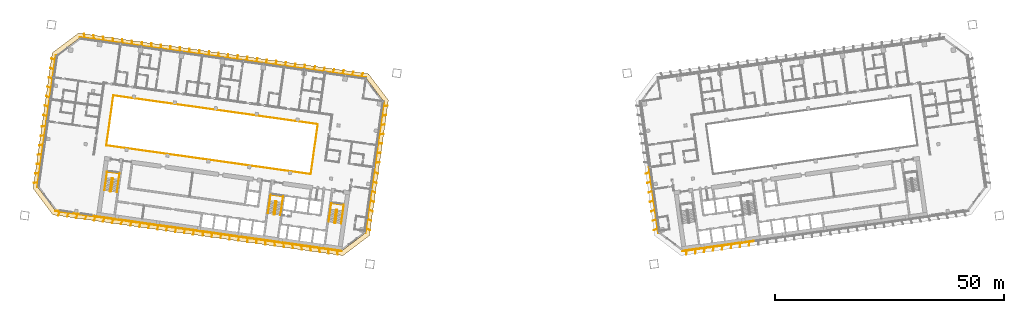
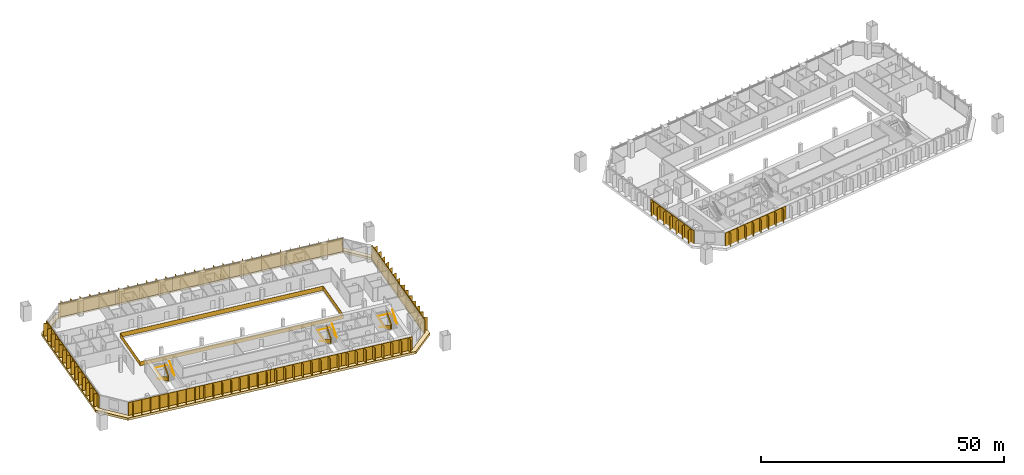
# One storey, part 24 of 25: 15 shading devices, 7 railings, 1 covering.
"""IFC4 building model written with IfcOpenShell, lengths in metres."""

import ifcopenshell
import ifcopenshell.guid

model = None  # the IFC model being written
_history = None  # IfcOwnerHistory: only IFC2X3 demands one
_inside = {}  # id of a spatial element -> (the spatial element, [elements in it])
_under = {}  # id of a project, library or spatial element -> (it, [spatial elements below it])
_declared = {}  # id of a project -> (the project, [libraries it declares])
_typed = {}  # id of a type object -> (the type object, [elements of that type])
_made_of = {}  # id of a material, layer set ... -> (it, [elements and type objects made of it])


def new_model(schema):
    """Start an empty IFC model of exactly this schema.

    Asked for "IFC4X3", IfcOpenShell would pick the latest addendum, in which some entities
    have other attributes; the version numbers below select the first issue.
    IFC2X3 requires an IfcOwnerHistory on every rooted entity: one is made here for all.
    """
    global model, _history
    if schema == "IFC4X3":
        model = ifcopenshell.file(schema_version=(4, 3, 0, 0))
    else:
        model = ifcopenshell.file(schema=schema)
    _inside.clear()
    _under.clear()
    _declared.clear()
    _typed.clear()
    _made_of.clear()
    _history = None
    if model.schema == "IFC2X3":
        org = make("IfcOrganization", Name="unknown")
        user = make(
            "IfcPersonAndOrganization",
            ThePerson=make("IfcPerson", FamilyName="unknown"),
            TheOrganization=org,
        )
        app = make(
            "IfcApplication",
            ApplicationDeveloper=org,
            Version="unknown",
            ApplicationFullName="unknown",
            ApplicationIdentifier="unknown",
        )
        _history = make(
            "IfcOwnerHistory",
            OwningUser=user,
            OwningApplication=app,
            ChangeAction="ADDED",
            CreationDate=0,
        )
    return model


def make(cls, **values):
    """One entity of the class cls with the attributes given. An attribute that is None is left unset."""
    return model.create_entity(
        cls, **{name: value for name, value in values.items() if value is not None}
    )


def rooted(cls, **values):
    """An entity with a GlobalId (a new one), such as an element, a storey or a relation."""
    return make(cls, GlobalId=ifcopenshell.guid.new(), OwnerHistory=_history, **values)


def si_unit(unit_type, name, prefix=None):
    """IfcSIUnit, for example si_unit("LENGTHUNIT", "METRE", prefix="MILLI")."""
    return make("IfcSIUnit", UnitType=unit_type, Prefix=prefix, Name=name)


def assignment(units):
    """IfcUnitAssignment: the units of a project."""
    return None if units is None else make("IfcUnitAssignment", Units=units)


def point(xyz):
    """IfcCartesianPoint."""
    return None if xyz is None else make("IfcCartesianPoint", Coordinates=xyz)


def direction(xyz):
    """IfcDirection."""
    return None if xyz is None else make("IfcDirection", DirectionRatios=xyz)


def frame(location, z_axis=None, x_axis=None):
    """IfcAxis2Placement3D, a coordinate frame: its origin and axes. An axis left out is left unset."""
    return make(
        "IfcAxis2Placement3D",
        Location=point(location),
        Axis=direction(z_axis),
        RefDirection=direction(x_axis),
    )


def frame_2d(location, x_axis=None):
    """IfcAxis2Placement2D, a coordinate frame in the plane: its origin and x axis."""
    return make(
        "IfcAxis2Placement2D", Location=point(location), RefDirection=direction(x_axis)
    )


def origin():
    """The frame at (0, 0, 0) with its axes left unset."""
    return frame((0.0, 0.0, 0.0))


def origin_2d():
    """The frame at (0, 0) in the plane with its x axis left unset."""
    return frame_2d((0.0, 0.0))


def place(relative_to, where):
    """IfcLocalPlacement: puts the frame where relative to a parent placement (None: the world)."""
    return make(
        "IfcLocalPlacement", PlacementRelTo=relative_to, RelativePlacement=where
    )


def context(
    kind, dimensions, precision=None, world=None, true_north=None, identifier=None
):
    """IfcGeometricRepresentationContext, for example the 3D "Model" context."""
    return make(
        "IfcGeometricRepresentationContext",
        ContextIdentifier=identifier,
        ContextType=kind,
        CoordinateSpaceDimension=dimensions,
        Precision=precision,
        WorldCoordinateSystem=world,
        TrueNorth=true_north,
    )


def subcontext(parent, identifier, kind, view, scale=None):
    """IfcGeometricRepresentationSubContext, for example "Body" below "Model"."""
    return make(
        "IfcGeometricRepresentationSubContext",
        ContextIdentifier=identifier,
        ContextType=kind,
        ParentContext=parent,
        TargetScale=scale,
        TargetView=view,
    )


def project(units=None, contexts=None):
    """IfcProject with its units and contexts."""
    return rooted(
        "IfcProject",
        Name="project",
        RepresentationContexts=contexts,
        UnitsInContext=assignment(units),
    )


def spatial(cls, under=None, at=None, **own):
    """A site, building, storey or space (cls), placed at a placement, below another one or the project."""
    s = rooted(cls, ObjectPlacement=at, **own)
    if under is not None:
        _under.setdefault(under.id(), (under, []))[1].append(s)
    return s


def polyline(points):
    """IfcPolyline through the points."""
    return make("IfcPolyline", Points=[point(p) for p in points])


def profile(cls, at=None, kind="AREA", **sizes):
    """A parametric profile (cls). Its sizes go by their IFC names, for example OverallWidth=200.0."""
    return make(cls, ProfileType=kind, Position=at, **sizes)


def rectangle(**sizes):
    """IfcRectangleProfileDef."""
    return profile("IfcRectangleProfileDef", **sizes)


def outline(outer, holes=None, kind="AREA"):
    """IfcArbitraryClosedProfileDef: a profile drawn as a closed curve; with holes, ...WithVoids."""
    if holes is None:
        return make("IfcArbitraryClosedProfileDef", ProfileType=kind, OuterCurve=outer)
    return make(
        "IfcArbitraryProfileDefWithVoids",
        ProfileType=kind,
        OuterCurve=outer,
        InnerCurves=holes,
    )


def extrude(swept, where, along, depth):
    """IfcExtrudedAreaSolid: the profile swept, set in the frame where, extruded along a direction by depth."""
    return make(
        "IfcExtrudedAreaSolid",
        SweptArea=swept,
        Position=where,
        ExtrudedDirection=direction(along),
        Depth=depth,
    )


def shape(context_of_items, identifier, shape_type, items):
    """IfcShapeRepresentation: the items that make up one representation, for example the "Body"."""
    return make(
        "IfcShapeRepresentation",
        ContextOfItems=context_of_items,
        RepresentationIdentifier=identifier,
        RepresentationType=shape_type,
        Items=items,
    )


def material(Name=None, Category=None):
    """IfcMaterial."""
    return make("IfcMaterial", Name=Name, Category=Category)


def layer(
    of_material, thickness, ventilated=None, Name=None, Category=None, Priority=None
):
    """IfcMaterialLayer: one layer of a wall or slab, of a material (None: an air gap)."""
    return make(
        "IfcMaterialLayer",
        Material=of_material,
        LayerThickness=thickness,
        IsVentilated=ventilated,
        Name=Name,
        Category=Category,
        Priority=Priority,
    )


def layer_set(layers, Name=None):
    """IfcMaterialLayerSet."""
    return make("IfcMaterialLayerSet", MaterialLayers=layers, LayerSetName=Name)


def made_of(thing, what):
    """Note that an element or type object is made of a material, layer set ...; save() writes the relation."""
    if what is not None:
        _made_of.setdefault(what.id(), (what, []))[1].append(thing)
    return thing


def type_object(cls, material=None, **own):
    """A type object (cls), such as IfcWallType, which elements share."""
    return made_of(rooted(cls, **own), material)


def element(
    cls,
    number,
    at=None,
    inside=None,
    cuts=None,
    type_object=None,
    material=None,
    context=None,
    identifier="Body",
    shape_type=None,
    held_by="IfcProductDefinitionShape",
    body=None,
    shapes=None,
    **own,
):
    """One element of the class cls, such as IfcWall. Its Tag is "e" and its number.

    at: its placement. inside: the storey or other place that contains it. cuts: it is an
    opening in that element (IfcRelVoidsElement). A single representation is given by context,
    identifier, shape_type and body (its items); several are given by shapes. held_by: the class
    of the entity that holds the representations. save() writes the other relations.
    """
    e = rooted(cls, Tag="e%d" % number, ObjectPlacement=at, **own)
    if body is not None:
        shapes = [shape(context, identifier, shape_type, body)]
    if shapes is not None:
        e.Representation = make(held_by, Representations=shapes)
    if inside is not None:
        _inside.setdefault(inside.id(), (inside, []))[1].append(e)
    if cuts is not None:
        rooted(
            "IfcRelVoidsElement", RelatingBuildingElement=cuts, RelatedOpeningElement=e
        )
    if type_object is not None:
        _typed.setdefault(type_object.id(), (type_object, []))[1].append(e)
    return made_of(e, material)


def aggregate(whole, parts):
    """IfcRelAggregates: a whole, such as a stair, and the parts it consists of."""
    return rooted("IfcRelAggregates", RelatingObject=whole, RelatedObjects=parts)


def save(model, path):
    """Write the relations noted so far, then the file.

    IfcRelAggregates (storeys below a building ...), IfcRelContainedInSpatialStructure (elements
    in a storey), IfcRelDefinesByType, IfcRelAssociatesMaterial and IfcRelDeclares: one each for
    every whole, place, type object, material and project.
    """
    for whole, parts in _under.values():
        aggregate(whole, parts)
    for where, things in _inside.values():
        rooted(
            "IfcRelContainedInSpatialStructure",
            RelatedElements=things,
            RelatingStructure=where,
        )
    for kind, things in _typed.values():
        rooted("IfcRelDefinesByType", RelatedObjects=things, RelatingType=kind)
    for what, things in _made_of.values():
        rooted("IfcRelAssociatesMaterial", RelatedObjects=things, RelatingMaterial=what)
    for by, libraries in _declared.values():
        rooted("IfcRelDeclares", RelatingContext=by, RelatedDefinitions=libraries)
    model.write(path)


model = new_model("IFC4")

# Units and contexts
model_context = context("Model", 3, precision=1e-05, world=origin(), true_north=direction((0.0, 1.0)))
body_context = subcontext(model_context, "Body", "Model", "MODEL_VIEW")
ifc_project = project(units=[si_unit("LENGTHUNIT", "METRE"), si_unit("AREAUNIT", "SQUARE_METRE"), si_unit("VOLUMEUNIT", "CUBIC_METRE"), si_unit("PLANEANGLEUNIT", "RADIAN"), si_unit("MASSUNIT", "GRAM", prefix="KILO")], contexts=[model_context])

# Site, building, storey
site_placement = place(None, origin())
site = spatial("IfcSite", under=ifc_project, at=site_placement, CompositionType="ELEMENT")
building_placement = place(site_placement, origin())
building = spatial("IfcBuilding", under=site, at=building_placement, Name="Mirante Cascada Hotel Towers", CompositionType="ELEMENT")
storey_placement = place(building_placement, frame((0.0, 0.0, 58.5)))
storey = spatial("IfcBuildingStorey", under=building, at=storey_placement, Name="L11", CompositionType="ELEMENT", Elevation=58.5)

# Railing
ifc_material_1 = material(Name="Toughened glass with stainless steel handrail", Category="steel")
railing_type_1 = type_object("IfcRailingType", Name="Atrium guard 1100 glass balustrade", PredefinedType="GUARDRAIL", material=ifc_material_1)
railing_1_placement = place(storey_placement, frame((-43.8418, -3.4881, 0.0)))
element("IfcRailing", 1, at=railing_1_placement, inside=storey, type_object=railing_type_1, Name="GUARD 1-L11-1", PredefinedType="GUARDRAIL", context=body_context, shape_type="SweptSolid", body=[
    extrude(rectangle(XDim=0.048, YDim=0.048, at=origin_2d()), frame((0.0, 0.0, 1.076), z_axis=(-0.9902681, 0.1391732, 0.0), x_axis=(-0.1391732, -0.9902681, 0.0)), (0.0, 0.0, 1.0), 45.0),
    extrude(rectangle(XDim=0.02, YDim=1.052, at=origin_2d()), frame((0.0, 0.0, 0.526), z_axis=(-0.9902681, 0.1391732, 0.0), x_axis=(-0.1391732, -0.9902681, 0.0)), (0.0, 0.0, 1.0), 45.0),
    extrude(rectangle(XDim=0.048, YDim=0.048, at=origin_2d()), frame((-44.5621, 6.2628, 1.076), z_axis=(0.1391721, 0.9902682, 0.0), x_axis=(-0.9902682, 0.1391721, 0.0)), (0.0, 0.0, 1.0), 11.0001),
    extrude(rectangle(XDim=0.02, YDim=1.052, at=origin_2d()), frame((-44.5621, 6.2628, 0.526), z_axis=(0.1391721, 0.9902682, 0.0), x_axis=(-0.9902682, 0.1391721, 0.0)), (0.0, 0.0, 1.0), 11.0001),
    extrude(rectangle(XDim=0.048, YDim=0.048, at=origin_2d()), frame((-43.0312, 17.1558, 1.076), z_axis=(0.9902681, -0.1391732, 0.0), x_axis=(0.1391732, 0.9902681, 0.0)), (0.0, 0.0, 1.0), 45.0),
    extrude(rectangle(XDim=0.02, YDim=1.052, at=origin_2d()), frame((-43.0312, 17.1558, 0.526), z_axis=(0.9902681, -0.1391732, 0.0), x_axis=(0.1391732, 0.9902681, 0.0)), (0.0, 0.0, 1.0), 45.0),
    extrude(rectangle(XDim=0.048, YDim=0.048, at=origin_2d()), frame((1.5309, 10.893, 1.076), z_axis=(-0.1391721, -0.9902682, 0.0), x_axis=(0.9902682, -0.1391721, 0.0)), (0.0, 0.0, 1.0), 11.0001),
    extrude(rectangle(XDim=0.02, YDim=1.052, at=origin_2d()), frame((1.5309, 10.893, 0.526), z_axis=(-0.1391721, -0.9902682, 0.0), x_axis=(0.9902682, -0.1391721, 0.0)), (0.0, 0.0, 1.0), 11.0001),
])

# Covering
ifc_material_2 = material(Name="Precast concrete C40/50 white", Category="concrete")
ifc_layer = layer(ifc_material_2, 0.6)
ifc_layer_set = layer_set([ifc_layer], Name="Precast concrete SUNSHADE band 1000x600")
covering_type = type_object("IfcCoveringType", Name="Precast concrete SUNSHADE band 1000x600", PredefinedType="CLADDING", material=ifc_layer_set)
covering_placement = place(storey_placement, frame((0.0, 0.0, -0.45)))
element("IfcCovering", 2, at=covering_placement, inside=storey, type_object=covering_type, Name="Precast concrete SUNSHADE band T1 L11", PredefinedType="CLADDING", context=body_context, shape_type="SweptSolid", body=[
    extrude(outline(polyline([(-104.3652, -6.6094), (-100.2139, 22.9287), (-94.4698, 27.2572), (-31.2626, 18.374), (-26.9341, 12.6299), (-31.0854, -16.9082), (-36.8295, -21.2367), (-100.0367, -12.3535), (-104.3652, -6.6094)]), holes=[polyline([(-27.982, 12.3589), (-31.8119, 17.4414), (-94.1988, 26.2093), (-99.2813, 22.3794), (-103.3173, -6.3384), (-99.4874, -11.4209), (-37.1005, -20.1888), (-32.018, -16.3589), (-27.982, 12.3589)])]), origin(), (0.0, 0.0, 1.0), 0.6),
])

# Railings
ifc_material_3 = material(Name="Painted steel", Category="steel")
railing_type_2 = type_object("IfcRailingType", Name="Stair guard 1100 steel balustrade", PredefinedType="GUARDRAIL", material=ifc_material_3)
railing_2_placement = place(storey_placement, frame((-38.1178, -11.2603, 0.0)))
element("IfcRailing", 3, at=railing_2_placement, inside=storey, type_object=railing_type_2, Name="L11 ST1-A stair guard 1", PredefinedType="GUARDRAIL", context=body_context, shape_type="SweptSolid", body=[
    extrude(rectangle(XDim=0.048, YDim=0.048, at=origin_2d()), frame((0.0, 0.0, 1.076), z_axis=(-0.9903326, 0.1387133, 0.0), x_axis=(-0.1387133, -0.9903326, 0.0)), (0.0, 0.0, 1.0), 0.1499),
    extrude(rectangle(XDim=0.02, YDim=1.052, at=origin_2d()), frame((0.0, 0.0, 0.526), z_axis=(-0.9903326, 0.1387133, 0.0), x_axis=(-0.1387133, -0.9903326, 0.0)), (0.0, 0.0, 1.0), 0.1499),
    extrude(rectangle(XDim=0.048, YDim=0.048, at=origin_2d()), frame((-0.1485, 0.0208, 1.076), z_axis=(-0.7991505, -0.6011309, 0.0), x_axis=(0.6011309, -0.7991505, 0.0)), (0.0, 0.9254529, 0.3788627), 0.1866),
    extrude(rectangle(XDim=0.02, YDim=1.052, at=origin_2d()), frame((-0.1485, 0.0208, 0.526), z_axis=(-0.7991505, -0.6011309, 0.0), x_axis=(0.6011309, -0.7991505, 0.0)), (0.0, 0.9254529, 0.3788627), 0.1866),
    extrude(rectangle(XDim=0.048, YDim=0.048, at=origin_2d()), frame((-0.205, -0.0217, 1.2487), z_axis=(-0.139176, -0.9902677, 0.0), x_axis=(0.9902677, -0.139176, 0.0)), (0.0, 0.5250212, 0.8510891), 3.29),
    extrude(rectangle(XDim=0.02, YDim=1.052, at=origin_2d()), frame((-0.205, -0.0217, 0.6987), z_axis=(-0.139176, -0.9902677, 0.0), x_axis=(0.9902677, -0.139176, 0.0)), (0.0, 0.5250212, 0.8510891), 3.29),
    extrude(rectangle(XDim=0.048, YDim=0.048, at=origin_2d()), frame((-0.5947, -2.7945, 2.976), z_axis=(0.9270311, -0.3749843, 0.0), x_axis=(0.3749843, 0.9270311, 0.0)), (0.0, 0.0, 1.0), 0.2061),
    extrude(rectangle(XDim=0.02, YDim=1.052, at=origin_2d()), frame((-0.5947, -2.7945, 2.426), z_axis=(0.9270311, -0.3749843, 0.0), x_axis=(0.3749843, 0.9270311, 0.0)), (0.0, 0.0, 1.0), 0.2061),
    extrude(rectangle(XDim=0.048, YDim=0.048, at=origin_2d()), frame((-0.4036, -2.8718, 2.976), z_axis=(-0.9902408, 0.1393672, 0.0), x_axis=(-0.1393672, -0.9902408, 0.0)), (0.0, 0.0, 1.0), 0.15),
    extrude(rectangle(XDim=0.02, YDim=1.052, at=origin_2d()), frame((-0.4036, -2.8718, 2.426), z_axis=(-0.9902408, 0.1393672, 0.0), x_axis=(-0.1393672, -0.9902408, 0.0)), (0.0, 0.0, 1.0), 0.15),
    extrude(rectangle(XDim=0.048, YDim=0.048, at=origin_2d()), frame((-0.5521, -2.8509, 2.976), z_axis=(0.9944948, 0.1047858, 0.0), x_axis=(-0.1047858, 0.9944948, 0.0)), (0.0, 0.6422034, 0.7665343), 0.2689),
    extrude(rectangle(XDim=0.02, YDim=1.052, at=origin_2d()), frame((-0.5521, -2.8509, 2.426), z_axis=(0.9944948, 0.1047858, 0.0), x_axis=(-0.1047858, 0.9944948, 0.0)), (0.0, 0.6422034, 0.7665343), 0.2689),
    extrude(rectangle(XDim=0.048, YDim=0.048, at=origin_2d()), frame((-0.3471, -2.8293, 3.1487), z_axis=(0.139176, 0.9902677, 0.0), x_axis=(-0.9902677, 0.139176, 0.0)), (0.0, 0.5250212, 0.8510891), 3.29),
    extrude(rectangle(XDim=0.02, YDim=1.052, at=origin_2d()), frame((-0.3471, -2.8293, 2.5987), z_axis=(0.139176, 0.9902677, 0.0), x_axis=(-0.9902677, 0.139176, 0.0)), (0.0, 0.5250212, 0.8510891), 3.29),
])
railing_3_placement = place(storey_placement, frame((-51.3379, -9.4024, 0.0)))
element("IfcRailing", 4, at=railing_3_placement, inside=storey, type_object=railing_type_2, Name="L11 ST1-B stair guard 1", PredefinedType="GUARDRAIL", context=body_context, shape_type="SweptSolid", body=[
    extrude(rectangle(XDim=0.048, YDim=0.048, at=origin_2d()), frame((0.0, 0.0, 1.076), z_axis=(-0.9902408, 0.1393672, 0.0), x_axis=(-0.1393672, -0.9902408, 0.0)), (0.0, 0.0, 1.0), 0.15),
    extrude(rectangle(XDim=0.02, YDim=1.052, at=origin_2d()), frame((0.0, 0.0, 0.526), z_axis=(-0.9902408, 0.1393672, 0.0), x_axis=(-0.1393672, -0.9902408, 0.0)), (0.0, 0.0, 1.0), 0.15),
    extrude(rectangle(XDim=0.048, YDim=0.048, at=origin_2d()), frame((-0.1485, 0.0209, 1.076), z_axis=(-0.7984711, -0.6020331, 0.0), x_axis=(0.6020331, -0.7984711, 0.0)), (0.0, 0.9253398, 0.3791387), 0.1866),
    extrude(rectangle(XDim=0.02, YDim=1.052, at=origin_2d()), frame((-0.1485, 0.0209, 0.526), z_axis=(-0.7984711, -0.6020331, 0.0), x_axis=(0.6020331, -0.7984711, 0.0)), (0.0, 0.9253398, 0.3791387), 0.1866),
    extrude(rectangle(XDim=0.048, YDim=0.048, at=origin_2d()), frame((-0.205, -0.0217, 1.2487), z_axis=(-0.139181, -0.990267, 0.0), x_axis=(0.990267, -0.139181, 0.0)), (0.0, 0.5250347, 0.8510808), 3.2899),
    extrude(rectangle(XDim=0.02, YDim=1.052, at=origin_2d()), frame((-0.205, -0.0217, 0.6987), z_axis=(-0.139181, -0.990267, 0.0), x_axis=(0.990267, -0.139181, 0.0)), (0.0, 0.5250347, 0.8510808), 3.2899),
    extrude(rectangle(XDim=0.048, YDim=0.048, at=origin_2d()), frame((-0.5947, -2.7944, 2.976), z_axis=(0.9268624, -0.3754011, 0.0), x_axis=(0.3754011, 0.9268624, 0.0)), (0.0, 0.0, 1.0), 0.2062),
    extrude(rectangle(XDim=0.02, YDim=1.052, at=origin_2d()), frame((-0.5947, -2.7944, 2.426), z_axis=(0.9268624, -0.3754011, 0.0), x_axis=(0.3754011, 0.9268624, 0.0)), (0.0, 0.0, 1.0), 0.2062),
    extrude(rectangle(XDim=0.048, YDim=0.048, at=origin_2d()), frame((-0.4036, -2.8718, 2.976), z_axis=(-0.9902408, 0.1393672, 0.0), x_axis=(-0.1393672, -0.9902408, 0.0)), (0.0, 0.0, 1.0), 0.15),
    extrude(rectangle(XDim=0.02, YDim=1.052, at=origin_2d()), frame((-0.4036, -2.8718, 2.426), z_axis=(-0.9902408, 0.1393672, 0.0), x_axis=(-0.1393672, -0.9902408, 0.0)), (0.0, 0.0, 1.0), 0.15),
    extrude(rectangle(XDim=0.048, YDim=0.048, at=origin_2d()), frame((-0.5521, -2.8509, 2.976), z_axis=(0.9944441, 0.1052656, 0.0), x_axis=(-0.1052656, 0.9944441, 0.0)), (0.0, 0.6421842, 0.7665504), 0.2689),
    extrude(rectangle(XDim=0.02, YDim=1.052, at=origin_2d()), frame((-0.5521, -2.8509, 2.426), z_axis=(0.9944441, 0.1052656, 0.0), x_axis=(-0.1052656, 0.9944441, 0.0)), (0.0, 0.6421842, 0.7665504), 0.2689),
    extrude(rectangle(XDim=0.048, YDim=0.048, at=origin_2d()), frame((-0.3471, -2.8292, 3.1487), z_axis=(0.139181, 0.990267, 0.0), x_axis=(-0.990267, 0.139181, 0.0)), (0.0, 0.5250347, 0.8510808), 3.2899),
    extrude(rectangle(XDim=0.02, YDim=1.052, at=origin_2d()), frame((-0.3471, -2.8292, 2.5987), z_axis=(0.139181, 0.990267, 0.0), x_axis=(-0.990267, 0.139181, 0.0)), (0.0, 0.5250347, 0.8510808), 3.2899),
])
railing_4_placement = place(storey_placement, frame((-86.9875, -4.3922, 0.0)))
element("IfcRailing", 5, at=railing_4_placement, inside=storey, type_object=railing_type_2, Name="L11 ST1-C stair guard 1", PredefinedType="GUARDRAIL", context=body_context, shape_type="SweptSolid", body=[
    extrude(rectangle(XDim=0.048, YDim=0.048, at=origin_2d()), frame((0.0, 0.0, 1.076), z_axis=(-0.9902537, 0.1392753, 0.0), x_axis=(-0.1392753, -0.9902537, 0.0)), (0.0, 0.0, 1.0), 0.1501),
    extrude(rectangle(XDim=0.02, YDim=1.052, at=origin_2d()), frame((0.0, 0.0, 0.526), z_axis=(-0.9902537, 0.1392753, 0.0), x_axis=(-0.1392753, -0.9902537, 0.0)), (0.0, 0.0, 1.0), 0.1501),
    extrude(rectangle(XDim=0.048, YDim=0.048, at=origin_2d()), frame((-0.1486, 0.0209, 1.076), z_axis=(-0.7986386, -0.601811, 0.0), x_axis=(0.601811, -0.7986386, 0.0)), (0.0, 0.925603, 0.3784959), 0.1866),
    extrude(rectangle(XDim=0.02, YDim=1.052, at=origin_2d()), frame((-0.1486, 0.0209, 0.526), z_axis=(-0.7986386, -0.601811, 0.0), x_axis=(0.601811, -0.7986386, 0.0)), (0.0, 0.925603, 0.3784959), 0.1866),
    extrude(rectangle(XDim=0.048, YDim=0.048, at=origin_2d()), frame((-0.205, -0.0216, 1.2487), z_axis=(-0.139176, -0.9902677, 0.0), x_axis=(0.9902677, -0.139176, 0.0)), (0.0, 0.5250212, 0.8510891), 3.29),
    extrude(rectangle(XDim=0.02, YDim=1.052, at=origin_2d()), frame((-0.205, -0.0216, 0.6987), z_axis=(-0.139176, -0.9902677, 0.0), x_axis=(0.9902677, -0.139176, 0.0)), (0.0, 0.5250212, 0.8510891), 3.29),
    extrude(rectangle(XDim=0.048, YDim=0.048, at=origin_2d()), frame((-0.5947, -2.7944, 2.976), z_axis=(0.9270311, -0.3749843, 0.0), x_axis=(0.3749843, 0.9270311, 0.0)), (0.0, 0.0, 1.0), 0.2061),
    extrude(rectangle(XDim=0.02, YDim=1.052, at=origin_2d()), frame((-0.5947, -2.7944, 2.426), z_axis=(0.9270311, -0.3749843, 0.0), x_axis=(0.3749843, 0.9270311, 0.0)), (0.0, 0.0, 1.0), 0.2061),
    extrude(rectangle(XDim=0.048, YDim=0.048, at=origin_2d()), frame((-0.4036, -2.8717, 2.976), z_axis=(-0.9903454, 0.1386217, 0.0), x_axis=(-0.1386217, -0.9903454, 0.0)), (0.0, 0.0, 1.0), 0.15),
    extrude(rectangle(XDim=0.02, YDim=1.052, at=origin_2d()), frame((-0.4036, -2.8717, 2.426), z_axis=(-0.9903454, 0.1386217, 0.0), x_axis=(-0.1386217, -0.9903454, 0.0)), (0.0, 0.0, 1.0), 0.15),
    extrude(rectangle(XDim=0.048, YDim=0.048, at=origin_2d()), frame((-0.5522, -2.8509, 2.976), z_axis=(0.9944441, 0.1052656, 0.0), x_axis=(-0.1052656, 0.9944441, 0.0)), (0.0, 0.6421842, 0.7665504), 0.2689),
    extrude(rectangle(XDim=0.02, YDim=1.052, at=origin_2d()), frame((-0.5522, -2.8509, 2.426), z_axis=(0.9944441, 0.1052656, 0.0), x_axis=(-0.1052656, 0.9944441, 0.0)), (0.0, 0.6421842, 0.7665504), 0.2689),
    extrude(rectangle(XDim=0.048, YDim=0.048, at=origin_2d()), frame((-0.3472, -2.8292, 3.1487), z_axis=(0.139176, 0.9902677, 0.0), x_axis=(-0.9902677, 0.139176, 0.0)), (0.0, 0.5250212, 0.8510891), 3.29),
    extrude(rectangle(XDim=0.02, YDim=1.052, at=origin_2d()), frame((-0.3472, -2.8292, 2.5987), z_axis=(0.139176, 0.9902677, 0.0), x_axis=(-0.9902677, 0.139176, 0.0)), (0.0, 0.5250212, 0.8510891), 3.29),
])
ifc_material_4 = material(Name="Painted steel", Category="steel")
railing_type_3 = type_object("IfcRailingType", Name="Stair handrail 900 steel tube", PredefinedType="HANDRAIL", material=ifc_material_4)
railing_5_placement = place(storey_placement, frame((-39.5606, -11.1081, 0.1727)))
element("IfcRailing", 6, at=railing_5_placement, inside=storey, type_object=railing_type_3, Name="L11 ST1-A stair handrail 1", PredefinedType="HANDRAIL", context=body_context, shape_type="SweptSolid", body=[
    extrude(rectangle(XDim=0.048, YDim=0.048, at=origin_2d()), frame((0.0, 0.0, 0.876), z_axis=(-0.139181, -0.990267, 0.0), x_axis=(0.990267, -0.139181, 0.0)), (0.0, 0.5250347, 0.8510808), 3.2899),
    extrude(rectangle(XDim=0.048, YDim=0.048, at=origin_2d()), frame((-0.3897, -2.7727, 2.6033), z_axis=(0.1391707, 0.9902684, 0.0), x_axis=(-0.9902684, 0.1391707, 0.0)), (0.0, 0.0420846, 0.999114), 4.1036),
    extrude(rectangle(XDim=0.048, YDim=0.048, at=origin_2d()), frame((0.1809, 1.2874, 2.776), z_axis=(0.9902691, -0.1391657, 0.0), x_axis=(0.1391657, 0.9902691, 0.0)), (0.0, 0.0, 1.0), 2.75),
    extrude(rectangle(XDim=0.048, YDim=0.048, at=origin_2d()), frame((2.9041, 0.9047, 2.776), z_axis=(-0.1391707, -0.9902684, 0.0), x_axis=(0.9902684, -0.1391707, 0.0)), (0.0, 0.0, 1.0), 4.1),
    extrude(rectangle(XDim=0.048, YDim=0.048, at=origin_2d()), frame((2.3335, -3.1554, 2.776), z_axis=(0.139181, 0.990267, 0.0), x_axis=(-0.990267, 0.139181, 0.0)), (0.0, 0.5250347, 0.8510808), 3.2899),
])
railing_6_placement = place(storey_placement, frame((-52.7807, -9.2501, 0.1727)))
element("IfcRailing", 7, at=railing_6_placement, inside=storey, type_object=railing_type_3, Name="L11 ST1-B stair handrail 1", PredefinedType="HANDRAIL", context=body_context, shape_type="SweptSolid", body=[
    extrude(rectangle(XDim=0.048, YDim=0.048, at=origin_2d()), frame((0.0, 0.0, 0.876), z_axis=(-0.139181, -0.990267, 0.0), x_axis=(0.990267, -0.139181, 0.0)), (0.0, 0.5250347, 0.8510808), 3.2899),
    extrude(rectangle(XDim=0.048, YDim=0.048, at=origin_2d()), frame((-0.3897, -2.7727, 2.6033), z_axis=(0.1391707, 0.9902684, 0.0), x_axis=(-0.9902684, 0.1391707, 0.0)), (0.0, 0.0420846, 0.999114), 4.1036),
    extrude(rectangle(XDim=0.048, YDim=0.048, at=origin_2d()), frame((0.1809, 1.2874, 2.776), z_axis=(0.9902641, -0.1392013, 0.0), x_axis=(0.1392013, 0.9902641, 0.0)), (0.0, 0.0, 1.0), 2.75),
    extrude(rectangle(XDim=0.048, YDim=0.048, at=origin_2d()), frame((2.9041, 0.9046, 2.776), z_axis=(-0.1391707, -0.9902684, 0.0), x_axis=(0.9902684, -0.1391707, 0.0)), (0.0, 0.0, 1.0), 4.1),
    extrude(rectangle(XDim=0.048, YDim=0.048, at=origin_2d()), frame((2.3335, -3.1555, 2.776), z_axis=(0.139176, 0.9902677, 0.0), x_axis=(-0.9902677, 0.139176, 0.0)), (0.0, 0.5250212, 0.8510891), 3.29),
])
railing_7_placement = place(storey_placement, frame((-88.4304, -4.2399, 0.1727)))
element("IfcRailing", 8, at=railing_7_placement, inside=storey, type_object=railing_type_3, Name="L11 ST1-C stair handrail 1", PredefinedType="HANDRAIL", context=body_context, shape_type="SweptSolid", body=[
    extrude(rectangle(XDim=0.048, YDim=0.048, at=origin_2d()), frame((0.0, 0.0, 0.876), z_axis=(-0.139181, -0.990267, 0.0), x_axis=(0.990267, -0.139181, 0.0)), (0.0, 0.5250347, 0.8510808), 3.2899),
    extrude(rectangle(XDim=0.048, YDim=0.048, at=origin_2d()), frame((-0.3897, -2.7727, 2.6033), z_axis=(0.1391947, 0.990265, 0.0), x_axis=(-0.990265, 0.1391947, 0.0)), (0.0, 0.0420845, 0.9991141), 4.1036),
    extrude(rectangle(XDim=0.048, YDim=0.048, at=origin_2d()), frame((0.181, 1.2874, 2.776), z_axis=(0.9902691, -0.1391657, 0.0), x_axis=(0.1391657, 0.9902691, 0.0)), (0.0, 0.0, 1.0), 2.75),
    extrude(rectangle(XDim=0.048, YDim=0.048, at=origin_2d()), frame((2.9042, 0.9047, 2.776), z_axis=(-0.1391707, -0.9902684, 0.0), x_axis=(0.9902684, -0.1391707, 0.0)), (0.0, 0.0, 1.0), 4.1),
    extrude(rectangle(XDim=0.048, YDim=0.048, at=origin_2d()), frame((2.3336, -3.1554, 2.776), z_axis=(0.139181, 0.990267, 0.0), x_axis=(-0.990267, 0.139181, 0.0)), (0.0, 0.5250347, 0.8510808), 3.2899),
])

# Shading devices
ifc_material_5 = material(Name="White precast concrete C50/60 fin", Category="concrete")
shading_device_type = type_object("IfcShadingDeviceType", Name="Vertical fin set 4500x900", PredefinedType="USERDEFINED", material=ifc_material_5)
shading_device_1_placement = place(storey_placement, origin())
element("IfcShadingDevice", 9, at=shading_device_1_placement, inside=storey, type_object=shading_device_type, Name="FIN T1 L11 front 1", ObjectType="FIN", PredefinedType="USERDEFINED", context=body_context, shape_type="SweptSolid", body=[
    extrude(outline(polyline([(-82.8173, 25.599), (-82.7126, 24.7465), (-81.7006, 24.6042), (-81.7214, 24.4557), (-94.1988, 26.2093), (-94.1779, 26.3578), (-93.1924, 26.2193), (-93.2945, 27.0506), (-93.2151, 27.0603), (-93.1104, 26.2078), (-91.1129, 25.9271), (-91.2149, 26.7583), (-91.1355, 26.7681), (-91.0308, 25.9155), (-89.0333, 25.6348), (-89.1354, 26.4661), (-89.056, 26.4758), (-88.9513, 25.6233), (-86.9537, 25.3425), (-87.0558, 26.1738), (-86.9764, 26.1835), (-86.8717, 25.331), (-84.8742, 25.0503), (-84.9762, 25.8815), (-84.8968, 25.8913), (-84.7922, 25.0387), (-82.7946, 24.758), (-82.8967, 25.5893), (-82.8173, 25.599)])), origin(), (0.0, 0.0, 1.0), 3.35),
])
shading_device_2_placement = place(storey_placement, origin())
element("IfcShadingDevice", 10, at=shading_device_2_placement, inside=storey, type_object=shading_device_type, Name="FIN T1 L11 front 2", ObjectType="FIN", PredefinedType="USERDEFINED", context=body_context, shape_type="SweptSolid", body=[
    extrude(outline(polyline([(-70.2221, 23.8469), (-70.2295, 22.9921), (-69.2232, 22.8507), (-69.2441, 22.7021), (-81.7214, 24.4557), (-81.7006, 24.6042), (-80.7072, 24.4646), (-80.6999, 25.3089), (-80.6199, 25.3082), (-80.6273, 24.4534), (-78.6277, 24.1724), (-78.6203, 25.0166), (-78.5403, 25.0159), (-78.5478, 24.1611), (-76.5481, 23.8801), (-76.5407, 24.7244), (-76.4608, 24.7237), (-76.4682, 23.8689), (-74.4686, 23.5878), (-74.4612, 24.4321), (-74.3812, 24.4314), (-74.3886, 23.5766), (-72.389, 23.2956), (-72.3816, 24.1399), (-72.3016, 24.1392), (-72.3091, 23.2844), (-70.3094, 23.0033), (-70.3021, 23.8476), (-70.2221, 23.8469)])), origin(), (0.0, 0.0, 1.0), 3.35),
])
shading_device_3_placement = place(storey_placement, origin())
element("IfcShadingDevice", 11, at=shading_device_3_placement, inside=storey, type_object=shading_device_type, Name="FIN T1 L11 front 3", ObjectType="FIN", PredefinedType="USERDEFINED", context=body_context, shape_type="SweptSolid", body=[
    extrude(outline(polyline([(-57.6277, 22.0794), (-57.746, 21.2376), (-56.7458, 21.0971), (-56.7667, 20.9485), (-69.2441, 22.7021), (-69.2232, 22.8507), (-68.223, 22.7101), (-68.1047, 23.5518), (-68.0255, 23.5407), (-68.1438, 22.699), (-66.1434, 22.4178), (-66.0251, 23.2596), (-65.9459, 23.2484), (-66.0642, 22.4067), (-64.0639, 22.1256), (-63.9456, 22.9673), (-63.8664, 22.9562), (-63.9847, 22.1144), (-61.9843, 21.8333), (-61.866, 22.675), (-61.7868, 22.6639), (-61.9051, 21.8222), (-59.9048, 21.541), (-59.7865, 22.3828), (-59.7072, 22.3716), (-59.8255, 21.5299), (-57.8252, 21.2488), (-57.7069, 22.0905), (-57.6277, 22.0794)])), origin(), (0.0, 0.0, 1.0), 3.35),
])
shading_device_4_placement = place(storey_placement, origin())
element("IfcShadingDevice", 12, at=shading_device_4_placement, inside=storey, type_object=shading_device_type, Name="FIN T1 L11 front 4", ObjectType="FIN", PredefinedType="USERDEFINED", context=body_context, shape_type="SweptSolid", body=[
    extrude(outline(polyline([(-45.0361, 20.2967), (-45.2617, 19.4831), (-44.2684, 19.3435), (-44.2893, 19.195), (-56.7667, 20.9485), (-56.7458, 21.0971), (-55.7394, 20.9556), (-55.511, 21.7794), (-55.4339, 21.758), (-55.6595, 20.9444), (-53.6599, 20.6634), (-53.4314, 21.4871), (-53.3544, 21.4657), (-53.58, 20.6521), (-51.5803, 20.3711), (-51.3519, 21.1949), (-51.2748, 21.1735), (-51.5004, 20.3599), (-49.5008, 20.0789), (-49.2723, 20.9026), (-49.1952, 20.8812), (-49.4209, 20.0676), (-47.4212, 19.7866), (-47.1928, 20.6103), (-47.1157, 20.589), (-47.3413, 19.7754), (-45.3416, 19.4943), (-45.1132, 20.3181), (-45.0361, 20.2967)])), origin(), (0.0, 0.0, 1.0), 3.35),
])
shading_device_5_placement = place(storey_placement, origin())
element("IfcShadingDevice", 13, at=shading_device_5_placement, inside=storey, type_object=shading_device_type, Name="FIN T1 L11 front 5", ObjectType="FIN", PredefinedType="USERDEFINED", context=body_context, shape_type="SweptSolid", body=[
    extrude(outline(polyline([(-32.4493, 18.4994), (-32.7765, 17.7284), (-31.791, 17.5899), (-31.8119, 17.4414), (-44.2893, 19.195), (-44.2684, 19.3435), (-43.2564, 19.2013), (-42.9208, 19.9919), (-42.8471, 19.9607), (-43.1744, 19.1897), (-41.1768, 18.909), (-40.8412, 19.6997), (-40.7676, 19.6684), (-41.0948, 18.8975), (-39.0973, 18.6167), (-38.7616, 19.4074), (-38.688, 19.3761), (-39.0152, 18.6052), (-37.0177, 18.3245), (-36.6821, 19.1151), (-36.6084, 19.0839), (-36.9357, 18.3129), (-34.9381, 18.0322), (-34.6025, 18.8229), (-34.5289, 18.7916), (-34.8561, 18.0207), (-32.8586, 17.7399), (-32.5229, 18.5306), (-32.4493, 18.4994)])), origin(), (0.0, 0.0, 1.0), 3.35),
])
shading_device_6_placement = place(storey_placement, origin())
element("IfcShadingDevice", 14, at=shading_device_6_placement, inside=storey, type_object=shading_device_type, Name="FIN T1 L11 inner 1", ObjectType="FIN", PredefinedType="USERDEFINED", context=body_context, shape_type="SweptSolid", body=[
    extrude(outline(polyline([(-29.7112, -1.023), (-29.8515, -2.0209), (-30.0, -2.0), (-27.982, 12.3589), (-27.8334, 12.338), (-27.97, 11.3667), (-27.1387, 11.4687), (-27.1289, 11.3893), (-27.9815, 11.2846), (-28.2583, 9.3154), (-27.427, 9.4174), (-27.4172, 9.338), (-28.2698, 9.2334), (-28.5465, 7.2641), (-27.7153, 7.3662), (-27.7055, 7.2868), (-28.5581, 7.1821), (-28.8348, 5.2128), (-28.0036, 5.3149), (-27.9938, 5.2355), (-28.8464, 5.1308), (-29.1231, 3.1616), (-28.2918, 3.2636), (-28.2821, 3.1842), (-29.1346, 3.0796), (-29.4114, 1.1103), (-28.5801, 1.2124), (-28.5704, 1.133), (-29.4229, 1.0283), (-29.6997, -0.941), (-28.8684, -0.8389), (-28.8587, -0.9183), (-29.7112, -1.023)])), origin(), (0.0, 0.0, 1.0), 3.35),
])
shading_device_7_placement = place(storey_placement, origin())
element("IfcShadingDevice", 15, at=shading_device_7_placement, inside=storey, type_object=shading_device_type, Name="FIN T1 L11 inner 2", ObjectType="FIN", PredefinedType="USERDEFINED", context=body_context, shape_type="SweptSolid", body=[
    extrude(outline(polyline([(-31.733, -15.4084), (-31.8695, -16.3798), (-32.018, -16.3589), (-30.0, -2.0), (-29.8515, -2.0209), (-29.9917, -3.0188), (-29.201, -3.3544), (-29.2323, -3.428), (-30.0032, -3.1008), (-30.28, -5.07), (-29.4893, -5.4057), (-29.5206, -5.4793), (-30.2915, -5.1521), (-30.5683, -7.1213), (-29.7776, -7.4569), (-29.8089, -7.5306), (-30.5798, -7.2033), (-30.8566, -9.1726), (-30.0659, -9.5082), (-30.0972, -9.5818), (-30.8681, -9.2546), (-31.1449, -11.2238), (-30.3542, -11.5595), (-30.3854, -11.6331), (-31.1564, -11.3059), (-31.4331, -13.2751), (-30.6425, -13.6107), (-30.6737, -13.6844), (-31.4447, -13.3571), (-31.7214, -15.3264), (-30.9308, -15.662), (-30.962, -15.7356), (-31.733, -15.4084)])), origin(), (0.0, 0.0, 1.0), 3.35),
])
shading_device_8_placement = place(storey_placement, origin())
element("IfcShadingDevice", 16, at=shading_device_8_placement, inside=storey, type_object=shading_device_type, Name="FIN T1 L11 outer 1", ObjectType="FIN", PredefinedType="USERDEFINED", context=body_context, shape_type="SweptSolid", body=[
    extrude(outline(polyline([(-103.3178, -5.2642), (-103.041, -3.2949), (-103.8723, -3.397), (-103.8821, -3.3176), (-103.0295, -3.2129), (-102.7528, -1.2436), (-103.584, -1.3457), (-103.5938, -1.2663), (-102.7412, -1.1616), (-102.4645, 0.8076), (-103.2957, 0.7056), (-103.3055, 0.785), (-102.4529, 0.8896), (-102.1762, 2.8589), (-103.0075, 2.7568), (-103.0172, 2.8362), (-102.1647, 2.9409), (-101.8879, 4.9102), (-102.7192, 4.8081), (-102.7289, 4.8875), (-101.8764, 4.9922), (-101.5996, 6.9614), (-102.4309, 6.8594), (-102.4406, 6.9388), (-101.5881, 7.0434), (-101.4478, 8.0413), (-101.2993, 8.0205), (-103.3173, -6.3384), (-103.4659, -6.3175), (-103.3293, -5.3462), (-104.1606, -5.4483), (-104.1704, -5.3689), (-103.3178, -5.2642)])), origin(), (0.0, 0.0, 1.0), 3.35),
])
shading_device_9_placement = place(storey_placement, origin())
element("IfcShadingDevice", 17, at=shading_device_9_placement, inside=storey, type_object=shading_device_type, Name="FIN T1 L11 outer 2", ObjectType="FIN", PredefinedType="USERDEFINED", context=body_context, shape_type="SweptSolid", body=[
    extrude(outline(polyline([(-101.2961, 9.1212), (-101.0193, 11.0905), (-101.81, 11.4261), (-101.7787, 11.4998), (-101.0078, 11.1725), (-100.731, 13.1418), (-101.5217, 13.4774), (-101.4904, 13.551), (-100.7195, 13.2238), (-100.4427, 15.193), (-101.2334, 15.5287), (-101.2021, 15.6023), (-100.4312, 15.2751), (-100.1544, 17.2443), (-100.9451, 17.5799), (-100.9139, 17.6536), (-100.1429, 17.3263), (-99.8662, 19.2956), (-100.6568, 19.6312), (-100.6256, 19.7048), (-99.8546, 19.3776), (-99.5779, 21.3469), (-100.3685, 21.6825), (-100.3373, 21.7561), (-99.5663, 21.4289), (-99.4298, 22.4002), (-99.2813, 22.3794), (-101.2993, 8.0205), (-101.4478, 8.0413), (-101.3076, 9.0392), (-102.0983, 9.3749), (-102.067, 9.4485), (-101.2961, 9.1212)])), origin(), (0.0, 0.0, 1.0), 3.35),
])
shading_device_10_placement = place(storey_placement, origin())
element("IfcShadingDevice", 18, at=shading_device_10_placement, inside=storey, type_object=shading_device_type, Name="FIN T1 L11 rear 1", ObjectType="FIN", PredefinedType="USERDEFINED", context=body_context, shape_type="SweptSolid", body=[
    extrude(outline(polyline([(-38.1239, -20.1965), (-39.9915, -19.934), (-39.8894, -20.7653), (-39.9688, -20.775), (-40.0735, -19.9225), (-41.9411, -19.66), (-41.839, -20.4913), (-41.9184, -20.501), (-42.0231, -19.6485), (-43.8907, -19.386), (-43.7886, -20.2173), (-43.868, -20.227), (-43.9727, -19.3745), (-45.8403, -19.112), (-45.7382, -19.9433), (-45.8176, -19.953), (-45.9223, -19.1005), (-47.7898, -18.838), (-47.6878, -19.6693), (-47.7672, -19.679), (-47.8719, -18.8265), (-49.7394, -18.564), (-49.6374, -19.3953), (-49.7168, -19.405), (-49.8214, -18.5525), (-51.689, -18.29), (-51.587, -19.1213), (-51.6664, -19.131), (-51.771, -18.2785), (-52.7181, -18.1454), (-52.6972, -17.9968), (-37.1005, -20.1888), (-37.1214, -20.3374), (-38.0419, -20.208), (-37.9398, -21.0393), (-38.0192, -21.049), (-38.1239, -20.1965)])), origin(), (0.0, 0.0, 1.0), 3.35),
])
shading_device_11_placement = place(storey_placement, origin())
element("IfcShadingDevice", 19, at=shading_device_11_placement, inside=storey, type_object=shading_device_type, Name="FIN T1 L11 rear 2", ObjectType="FIN", PredefinedType="USERDEFINED", context=body_context, shape_type="SweptSolid", body=[
    extrude(outline(polyline([(-53.7283, -18.0034), (-55.5984, -17.7406), (-55.6427, -18.5857), (-55.7226, -18.5815), (-55.6779, -17.7294), (-57.548, -17.4666), (-57.5923, -18.3117), (-57.6722, -18.3075), (-57.6275, -17.4554), (-59.4976, -17.1926), (-59.5419, -18.0377), (-59.6217, -18.0335), (-59.5771, -17.1814), (-61.4472, -16.9186), (-61.4914, -17.7637), (-61.5713, -17.7596), (-61.5267, -16.9074), (-63.3967, -16.6446), (-63.441, -17.4897), (-63.5209, -17.4856), (-63.4763, -16.6334), (-65.3463, -16.3706), (-65.3906, -17.2157), (-65.4705, -17.2116), (-65.4259, -16.3594), (-67.2959, -16.0966), (-67.3402, -16.9417), (-67.4201, -16.9376), (-67.3755, -16.0854), (-68.3148, -15.9534), (-68.2939, -15.8049), (-52.6972, -17.9968), (-52.7181, -18.1454), (-53.6488, -18.0146), (-53.6931, -18.8597), (-53.773, -18.8555), (-53.7283, -18.0034)])), origin(), (0.0, 0.0, 1.0), 3.35),
])
shading_device_12_placement = place(storey_placement, origin())
element("IfcShadingDevice", 20, at=shading_device_12_placement, inside=storey, type_object=shading_device_type, Name="FIN T1 L11 rear 3", ObjectType="FIN", PredefinedType="USERDEFINED", context=body_context, shape_type="SweptSolid", body=[
    extrude(outline(polyline([(-69.3337, -15.8102), (-71.2038, -15.5474), (-71.3957, -16.3788), (-71.4737, -16.3608), (-71.2833, -15.5362), (-73.1534, -15.2734), (-73.3453, -16.1048), (-73.4233, -16.0868), (-73.2329, -15.2622), (-75.103, -14.9994), (-75.2949, -15.8308), (-75.3729, -15.8128), (-75.1825, -14.9882), (-77.0525, -14.7254), (-77.2445, -15.5568), (-77.3224, -15.5388), (-77.1321, -14.7142), (-79.0021, -14.4514), (-79.1941, -15.2828), (-79.272, -15.2648), (-79.0817, -14.4402), (-80.9517, -14.1774), (-81.1437, -15.0088), (-81.2216, -14.9908), (-81.0312, -14.1662), (-82.9013, -13.9034), (-83.0933, -14.7348), (-83.1712, -14.7168), (-82.9808, -13.8922), (-83.9115, -13.7614), (-83.8907, -13.6129), (-68.2939, -15.8049), (-68.3148, -15.9534), (-69.2542, -15.8214), (-69.4461, -16.6528), (-69.5241, -16.6348), (-69.3337, -15.8102)])), origin(), (0.0, 0.0, 1.0), 3.35),
])
shading_device_13_placement = place(storey_placement, origin())
element("IfcShadingDevice", 21, at=shading_device_13_placement, inside=storey, type_object=shading_device_type, Name="FIN T1 L11 rear 4", ObjectType="FIN", PredefinedType="USERDEFINED", context=body_context, shape_type="SweptSolid", body=[
    extrude(outline(polyline([(-84.9406, -13.6168), (-86.8082, -13.3543), (-87.1438, -14.145), (-87.2174, -14.1137), (-86.8902, -13.3428), (-88.7578, -13.0803), (-89.0934, -13.871), (-89.167, -13.8397), (-88.8398, -13.0688), (-90.7074, -12.8063), (-91.043, -13.597), (-91.1166, -13.5657), (-90.7894, -12.7948), (-92.657, -12.5323), (-92.9926, -13.323), (-93.0662, -13.2918), (-92.739, -12.5208), (-94.6065, -12.2583), (-94.9422, -13.049), (-95.0158, -13.0178), (-94.6886, -12.2468), (-96.5561, -11.9843), (-96.8918, -12.775), (-96.9654, -12.7438), (-96.6381, -11.9728), (-98.5057, -11.7103), (-98.8413, -12.501), (-98.915, -12.4698), (-98.5877, -11.6988), (-99.5083, -11.5694), (-99.4874, -11.4209), (-83.8907, -13.6129), (-83.9115, -13.7614), (-84.8586, -13.6283), (-85.1942, -14.419), (-85.2679, -14.3877), (-84.9406, -13.6168)])), origin(), (0.0, 0.0, 1.0), 3.35),
])
shading_device_14_placement = place(storey_placement, origin())
element("IfcShadingDevice", 22, at=shading_device_14_placement, inside=storey, type_object=shading_device_type, Name="FIN T2 L11 inner 2", ObjectType="FIN", PredefinedType="USERDEFINED", context=body_context, shape_type="SweptSolid", body=[
    extrude(outline(polyline([(30.9308, -15.662), (31.7214, -15.3264), (31.4447, -13.3571), (30.6737, -13.6844), (30.6425, -13.6107), (31.4331, -13.2751), (31.1564, -11.3059), (30.3854, -11.6331), (30.3542, -11.5595), (31.1449, -11.2238), (30.8681, -9.2546), (30.0972, -9.5818), (30.0659, -9.5082), (30.8566, -9.1726), (30.5798, -7.2033), (29.8089, -7.5306), (29.7776, -7.4569), (30.5683, -7.1213), (30.2915, -5.1521), (29.5206, -5.4793), (29.4893, -5.4057), (30.28, -5.07), (30.0032, -3.1008), (29.2323, -3.428), (29.201, -3.3544), (29.9917, -3.0188), (29.8515, -2.0209), (30.0, -2.0), (32.018, -16.3589), (31.8695, -16.3798), (31.733, -15.4084), (30.962, -15.7356), (30.9308, -15.662)])), origin(), (0.0, 0.0, 1.0), 3.35),
])
shading_device_15_placement = place(storey_placement, origin())
element("IfcShadingDevice", 23, at=shading_device_15_placement, inside=storey, type_object=shading_device_type, Name="FIN T2 L11 rear 1", ObjectType="FIN", PredefinedType="USERDEFINED", context=body_context, shape_type="SweptSolid", body=[
    extrude(outline(polyline([(37.9398, -21.0393), (38.0419, -20.208), (37.1214, -20.3374), (37.1005, -20.1888), (52.6972, -17.9968), (52.7181, -18.1454), (51.771, -18.2785), (51.6664, -19.131), (51.587, -19.1213), (51.689, -18.29), (49.8214, -18.5525), (49.7168, -19.405), (49.6374, -19.3953), (49.7394, -18.564), (47.8719, -18.8265), (47.7672, -19.679), (47.6878, -19.6693), (47.7898, -18.838), (45.9223, -19.1005), (45.8176, -19.953), (45.7382, -19.9433), (45.8403, -19.112), (43.9727, -19.3745), (43.868, -20.227), (43.7886, -20.2173), (43.8907, -19.386), (42.0231, -19.6485), (41.9184, -20.501), (41.839, -20.4913), (41.9411, -19.66), (40.0735, -19.9225), (39.9688, -20.775), (39.8894, -20.7653), (39.9915, -19.934), (38.1239, -20.1965), (38.0192, -21.049), (37.9398, -21.0393)])), origin(), (0.0, 0.0, 1.0), 3.35),
])

save(model, "model.ifc")
